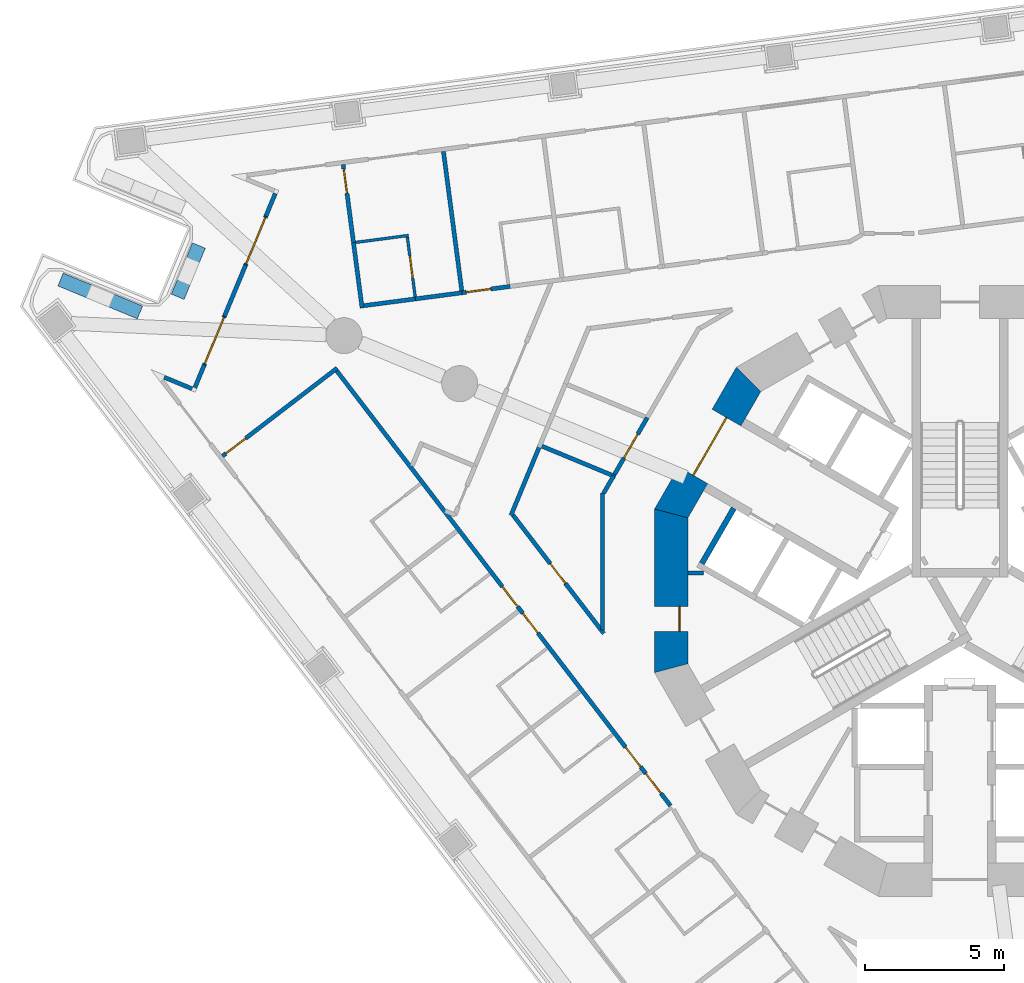
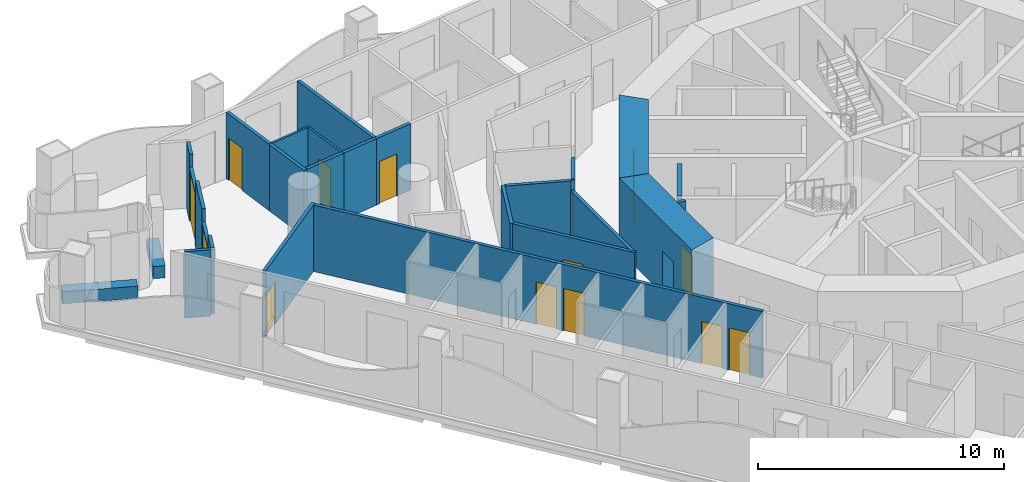
# One storey, part 6 of 19: 28 walls, 14 doors, 14 openings.
"""IFC4 building model written with IfcOpenShell, lengths in metres."""

from ifc_helpers import new_model, si_unit, direction, frame, frame_2d, origin, place, context, subcontext, project, spatial, polyline, rectangle, outline, extrude, material, layer, layer_set, type_object, element, fill, save


model = new_model("IFC4")

# Units and contexts
model_context = context("Model", 3, precision=1e-05, world=origin(), true_north=direction((0.0, 1.0)))
body_context = subcontext(model_context, "Body", "Model", "MODEL_VIEW")
ifc_project = project(units=[si_unit("LENGTHUNIT", "METRE"), si_unit("AREAUNIT", "SQUARE_METRE"), si_unit("VOLUMEUNIT", "CUBIC_METRE"), si_unit("PLANEANGLEUNIT", "RADIAN"), si_unit("MASSUNIT", "GRAM", prefix="KILO")], contexts=[model_context])

# Site, building, storey
site_placement = place(None, origin())
site = spatial("IfcSite", under=ifc_project, at=site_placement, CompositionType="ELEMENT")
building_placement = place(site_placement, origin())
building = spatial("IfcBuilding", under=site, at=building_placement, Name="Trine Commons Tower", CompositionType="ELEMENT")
storey_placement = place(building_placement, frame((0.0, 0.0, 54.0)))
storey = spatial("IfcBuildingStorey", under=building, at=storey_placement, Name="L12", CompositionType="ELEMENT", Elevation=54.0)

# Walls
ifc_material_1 = material(Name="Plasterboard partition on steel studs", Category="steel")
ifc_layer_1 = layer(ifc_material_1, 0.14990234375)
ifc_layer_set_1 = layer_set([ifc_layer_1], Name="Plasterboard partition on steel studs")
wall_type_1 = type_object("IfcWallType", Name="Core room partition 150 mm, EI 60", PredefinedType="PARTITIONING", material=ifc_layer_set_1)
wall_1_placement = place(storey_placement, frame((70.18798828125, 63.14208984375, 0.0), z_axis=(0.0, 0.0, 1.0), x_axis=(1.0, 0.0, 0.0)))
element("IfcWall", 1, at=wall_1_placement, inside=storey, type_object=wall_type_1, Name="Core room partition L12", PredefinedType="PARTITIONING", context=body_context, shape_type="SweptSolid", body=[
    extrude(rectangle(XDim=0.571044921875, YDim=0.14990234375, at=frame_2d((0.28564453125, 0.0))), origin(), (0.0, 0.0, 1.0), 3.300048828125),
])
ifc_material_2 = material(Name="Aluminium-framed insulated wall panel", Category="aluminium")
ifc_layer_2 = layer(ifc_material_2, 0.14990234375)
ifc_layer_set_2 = layer_set([ifc_layer_2], Name="Aluminium-framed insulated wall panel")
wall_type_2 = type_object("IfcWallType", Name="Glazed frame wall 150, EI 60", PredefinedType="SOLIDWALL", material=ifc_layer_set_2)
wall_2_placement = place(storey_placement, frame((51.175537109375, 70.256103515625, 0.0), z_axis=(0.0, 0.0, 1.0), x_axis=(0.923901801611, -0.382629665579, 0.0)))
element("IfcWall", 2, at=wall_2_placement, inside=storey, type_object=wall_type_2, Name="Glazed frame wall R1", PredefinedType="SOLIDWALL", context=body_context, shape_type="SweptSolid", body=[
    extrude(outline(polyline([(0.1494140625, 0.074951171875), (0.1494140625, -0.074951171875), (1.235107421875, -0.074951171875), (1.235107421875, 0.074951171875), (0.1494140625, 0.074951171875)])), origin(), (0.0, 0.0, 1.0), 3.300048828125),
])
wall_3_placement = place(storey_placement, frame((52.372314453125, 69.722412109375, 0.0), z_axis=(0.0, 0.0, 1.0), x_axis=(0.382603377961, 0.923912688068, 0.0)))
element("IfcWall", 3, at=wall_3_placement, inside=storey, type_object=wall_type_2, Name="Glazed frame wall P1.1", PredefinedType="SOLIDWALL", context=body_context, shape_type="SweptSolid", body=[
    extrude(outline(polyline([(0.110107421875, -0.074951171875), (1.0, -0.074951171875), (1.0, 0.074951171875), (0.110107421875, 0.074951171875), (0.110107421875, -0.074951171875)])), origin(), (0.0, 0.0, 1.0), 3.300048828125),
])

# Wall, opening, door
wall_4_placement = place(storey_placement, frame((52.7548828125, 70.646240234375, 0.0), z_axis=(0.0, 0.0, 1.0), x_axis=(0.382771661121, 0.923842982028, 0.0)))
wall_4 = element("IfcWall", 4, at=wall_4_placement, inside=storey, type_object=wall_type_2, Name="Glazed frame wall P1.2", PredefinedType="SOLIDWALL", context=body_context, shape_type="SweptSolid", body=[
    extrude(outline(polyline([(0.0, -0.074951171875), (1.89990234375, -0.074951171875), (1.89990234375, 0.074951171875), (0.0, 0.074951171875), (0.0, -0.074951171875)])), origin(), (0.0, 0.0, 1.0), 2.64990234375),
])
opening_1_placement = place(wall_4_placement, frame((0.050048828125, 0.0, 0.0)))
opening_1 = element("IfcOpeningElement", 5, at=opening_1_placement, cuts=wall_4, Name="Opening BD-2P1-01", PredefinedType="OPENING", context=body_context, shape_type="SweptSolid", body=[
    extrude(rectangle(XDim=1.800048828125, YDim=2.60009765625, at=frame_2d((0.89990234375, 1.300048828125))), frame((0.0, 0.0849609375, 0.0), z_axis=(0.0, -1.0, 0.0), x_axis=(1.0, 0.0, 0.0)), (0.0, 0.0, 1.0), 0.169921875),
])
ifc_material_3 = material(Name="Anodised aluminium frame with double glazing", Category="aluminium")
door_type_1 = type_object("IfcDoorType", Name="Sliding loggia door 1800x2600", OperationType="SLIDING_TO_LEFT", PredefinedType="DOOR", material=ifc_material_3)
door_1_placement = place(opening_1_placement, origin())
door_1 = element("IfcDoor", 6, at=door_1_placement, inside=storey, type_object=door_type_1, Name="Loggia door P1 1", OperationType="SLIDING_TO_LEFT", OverallHeight=2.60009765625, OverallWidth=1.800048828125, PredefinedType="DOOR", context=body_context, shape_type="SweptSolid", body=[
    extrude(rectangle(XDim=1.800048828125, YDim=2.60009765625, at=frame_2d((0.89990234375, 1.300048828125))), frame((0.0, 0.02490234375, 0.0), z_axis=(0.0, -1.0, 0.0), x_axis=(1.0, 0.0, 0.0)), (0.0, 0.0, 1.0), 0.050048828125),
])
fill(opening_1, door_1)

# Wall
wall_5_placement = place(storey_placement, frame((53.482177734375, 72.401611328125, 0.0), z_axis=(0.0, 0.0, 1.0), x_axis=(0.382664423091, 0.923887406181, 0.0)))
element("IfcWall", 7, at=wall_5_placement, inside=storey, type_object=wall_type_2, Name="Glazed frame wall P1.3", PredefinedType="SOLIDWALL", context=body_context, shape_type="SweptSolid", body=[
    extrude(outline(polyline([(0.0, -0.074951171875), (2.0, -0.074951171875), (2.0, 0.074951171875), (0.0, 0.074951171875), (0.0, -0.074951171875)])), origin(), (0.0, 0.0, 1.0), 3.300048828125),
])

# Wall, opening, door
wall_6_placement = place(storey_placement, frame((54.24755859375, 74.24951171875, 0.0), z_axis=(0.0, 0.0, 1.0), x_axis=(0.382661988648, 0.923888414498, 0.0)))
wall_6 = element("IfcWall", 8, at=wall_6_placement, inside=storey, type_object=wall_type_2, Name="Glazed frame wall P1.4", PredefinedType="SOLIDWALL", context=body_context, shape_type="SweptSolid", body=[
    extrude(outline(polyline([(0.0, -0.074951171875), (1.89990234375, -0.074951171875), (1.89990234375, 0.074951171875), (0.0, 0.074951171875), (0.0, -0.074951171875)])), origin(), (0.0, 0.0, 1.0), 2.64990234375),
])
opening_2_placement = place(wall_6_placement, frame((0.050048828125, 0.0, 0.0)))
opening_2 = element("IfcOpeningElement", 9, at=opening_2_placement, cuts=wall_6, Name="Opening BD-2P1-02", PredefinedType="OPENING", context=body_context, shape_type="SweptSolid", body=[
    extrude(rectangle(XDim=1.800048828125, YDim=2.60009765625, at=frame_2d((0.89990234375, 1.300048828125))), frame((0.0, 0.0849609375, 0.0), z_axis=(0.0, -1.0, 0.0), x_axis=(1.0, 0.0, 0.0)), (0.0, 0.0, 1.0), 0.169921875),
])
door_2_placement = place(opening_2_placement, origin())
door_2 = element("IfcDoor", 10, at=door_2_placement, inside=storey, type_object=door_type_1, Name="Loggia door P1 2", OperationType="SLIDING_TO_LEFT", OverallHeight=2.60009765625, OverallWidth=1.800048828125, PredefinedType="DOOR", context=body_context, shape_type="SweptSolid", body=[
    extrude(rectangle(XDim=1.800048828125, YDim=2.60009765625, at=frame_2d((0.89990234375, 1.300048828125))), frame((0.0, 0.02490234375, 0.0), z_axis=(0.0, -1.0, 0.0), x_axis=(1.0, 0.0, 0.0)), (0.0, 0.0, 1.0), 0.050048828125),
])
fill(opening_2, door_2)

# Walls
wall_7_placement = place(storey_placement, frame((54.974609375, 76.0048828125, 0.0), z_axis=(0.0, 0.0, 1.0), x_axis=(0.382811769845, 0.923826362943, 0.0)))
element("IfcWall", 11, at=wall_7_placement, inside=storey, type_object=wall_type_2, Name="Glazed frame wall P1.5", PredefinedType="SOLIDWALL", context=body_context, shape_type="SweptSolid", body=[
    extrude(outline(polyline([(0.889892578125, 0.074951171875), (0.0, 0.074951171875), (0.0, -0.074951171875), (0.889892578125, -0.074951171875), (0.889892578125, 0.074951171875)])), origin(), (0.0, 0.0, 1.0), 3.300048828125),
])
ifc_material_4 = material(Name="Planter trough, precast concrete C40/50", Category="concrete")
ifc_layer_3 = layer(ifc_material_4, 0.5)
ifc_layer_set_3 = layer_set([ifc_layer_3], Name="Planter trough, precast concrete C40/50")
wall_type_3 = type_object("IfcWallType", Name="Planter trough 500x600", PredefinedType="PARAPET", material=ifc_layer_set_3)
wall_8_placement = place(storey_placement, frame((47.5732421875, 73.723388671875, 0.0), z_axis=(0.0, 0.0, 1.0), x_axis=(0.923883411188, -0.382674068277, 0.0)))
element("IfcWall", 12, at=wall_8_placement, inside=storey, type_object=wall_type_3, Name="Planter 1", PredefinedType="PARAPET", context=body_context, shape_type="SweptSolid", body=[
    extrude(rectangle(XDim=3.099853515625, YDim=0.5, at=frame_2d((1.5498046875, 0.0))), origin(), (0.0, 0.0, 1.0), 0.60009765625),
])
wall_9_placement = place(storey_placement, frame((51.796142578125, 73.10009765625, 0.0), z_axis=(0.0, 0.0, 1.0), x_axis=(0.382603377961, 0.923912688068, 0.0)))
element("IfcWall", 13, at=wall_9_placement, inside=storey, type_object=wall_type_3, Name="Planter 2", PredefinedType="PARAPET", context=body_context, shape_type="SweptSolid", body=[
    extrude(rectangle(XDim=1.999755859375, YDim=0.5, at=frame_2d((1.0, 0.0))), origin(), (0.0, 0.0, 1.0), 0.60009765625),
])

# Wall, opening, door
ifc_material_5 = material(Name="Concrete C80/95", Category="concrete")
ifc_layer_4 = layer(ifc_material_5, 1.199951171875)
ifc_layer_set_4 = layer_set([ifc_layer_4], Name="Concrete C80/95")
wall_type_4 = type_object("IfcWallType", Name="RC shear wall 1200 mm, C80/95", PredefinedType="SHEAR", material=ifc_layer_set_4)
wall_10_placement = place(storey_placement, frame((72.45849609375, 70.260986328125, 0.0), z_axis=(0.0, 0.0, 1.0), x_axis=(-0.499979111662, -0.866037463336, 0.0)))
wall_10 = element("IfcWall", 14, at=wall_10_placement, inside=storey, type_object=wall_type_4, Name="Core wall CWB-06 L12", PredefinedType="SHEAR", context=body_context, shape_type="SweptSolid", body=[
    extrude(outline(polyline([(0.0, -0.60009765625), (5.901123046875, -0.60009765625), (5.57958984375, 0.60009765625), (0.321533203125, 0.60009765625), (0.0, -0.60009765625)])), origin(), (0.0, 0.0, 1.0), 3.60009765625),
])
opening_3_placement = place(wall_10_placement, frame((1.75048828125, 0.0, 0.0)))
opening_3 = element("IfcOpeningElement", 15, at=opening_3_placement, cuts=wall_10, Name="Opening K07.06", PredefinedType="OPENING", context=body_context, shape_type="SweptSolid", body=[
    extrude(rectangle(XDim=2.39990234375, YDim=2.10009765625, at=frame_2d((1.199951171875, 1.050048828125))), frame((0.0, 0.60986328125, 0.0), z_axis=(0.0, -1.0, 0.0), x_axis=(1.0, 0.0, 0.0)), (0.0, 0.0, 1.0), 1.219970703125),
])
ifc_material_6 = material(Name="Steel door leaves, fire-rated", Category="steel")
door_type_2 = type_object("IfcDoorType", Name="Lobby door, double leaf 2400 x 2100, FD60", OperationType="DOUBLE_DOOR_SINGLE_SWING", PredefinedType="DOOR", material=ifc_material_6)
door_3_placement = place(opening_3_placement, origin())
door_3 = element("IfcDoor", 16, at=door_3_placement, inside=storey, type_object=door_type_2, Name="Lobby door, Passenger lift lobby B L12", OperationType="DOUBLE_DOOR_SINGLE_SWING", OverallHeight=2.10009765625, OverallWidth=2.39990234375, PredefinedType="DOOR", context=body_context, shape_type="SweptSolid", body=[
    extrude(rectangle(XDim=2.39990234375, YDim=2.10009765625, at=frame_2d((1.199951171875, 1.050048828125))), frame((0.0, 0.02490234375, 0.0), z_axis=(0.0, -1.0, 0.0), x_axis=(1.0, 0.0, 0.0)), (0.0, 0.0, 1.0), 0.050048828125),
])
fill(opening_3, door_3)

wall_11_placement = place(storey_placement, frame((69.58837890625, 65.450439453125, 0.0), z_axis=(0.0, 0.0, 1.0), x_axis=(0.0, -1.0, 0.0)))
wall_11 = element("IfcWall", 17, at=wall_11_placement, inside=storey, type_object=wall_type_4, Name="Core wall CWB-07 L12", PredefinedType="SHEAR", context=body_context, shape_type="SweptSolid", body=[
    extrude(outline(polyline([(0.0, -0.60009765625), (5.90087890625, -0.60009765625), (5.57958984375, 0.60009765625), (0.321533203125, 0.60009765625), (0.0, -0.60009765625)])), origin(), (0.0, 0.0, 1.0), 3.60009765625),
])
opening_4_placement = place(wall_11_placement, frame((3.508544921875, 0.0, 0.0)))
opening_4 = element("IfcOpeningElement", 18, at=opening_4_placement, cuts=wall_11, Name="Opening K07.14", PredefinedType="OPENING", context=body_context, shape_type="SweptSolid", body=[
    extrude(rectangle(XDim=0.89990234375, YDim=2.10009765625, at=frame_2d((0.449951171875, 1.050048828125))), frame((0.0, 0.60986328125, 0.0), z_axis=(0.0, -1.0, 0.0), x_axis=(1.0, 0.0, 0.0)), (0.0, 0.0, 1.0), 1.219970703125),
])
ifc_material_7 = material(Name="Steel door leaf, fire-rated", Category="steel")
door_type_3 = type_object("IfcDoorType", Name="Core room door, single leaf 900 x 2100, FD30S", OperationType="SINGLE_SWING_LEFT", PredefinedType="DOOR", material=ifc_material_7)
door_4_placement = place(opening_4_placement, origin())
door_4 = element("IfcDoor", 19, at=door_4_placement, inside=storey, type_object=door_type_3, Name="Door to Print room L12", OperationType="SINGLE_SWING_RIGHT", OverallHeight=2.10009765625, OverallWidth=0.89990234375, PredefinedType="DOOR", context=body_context, shape_type="SweptSolid", body=[
    extrude(rectangle(XDim=0.89990234375, YDim=2.10009765625, at=frame_2d((0.449951171875, 1.050048828125))), frame((0.0, 0.3251953125, 0.0), z_axis=(0.0, -1.0, 0.0), x_axis=(1.0, 0.0, 0.0)), (0.0, 0.0, 1.0), 0.050048828125),
])
fill(opening_4, door_4)

# Wall
ifc_material_8 = material(Name="Fire-rated gypsum shaft wall system")
ifc_layer_5 = layer(ifc_material_8, 0.199951171875)
ifc_layer_set_5 = layer_set([ifc_layer_5], Name="Fire-rated gypsum shaft wall system")
wall_type_5 = type_object("IfcWallType", Name="Shaft wall 200 mm, EI 120", PredefinedType="PARTITIONING", material=ifc_layer_set_5)
wall_12_placement = place(storey_placement, frame((71.844970703125, 65.47607421875, 0.0), z_axis=(0.0, 0.0, 1.0), x_axis=(-0.500136062276, -0.86594683394, 0.0)))
element("IfcWall", 20, at=wall_12_placement, inside=storey, type_object=wall_type_5, Name="Shaft wall L12", PredefinedType="PARTITIONING", context=body_context, shape_type="SweptSolid", body=[
    extrude(rectangle(XDim=2.299072265625, YDim=0.199951171875, at=frame_2d((1.1494140625, 0.0))), origin(), (0.0, 0.0, 1.0), 3.300048828125),
])

# Wall, opening, door
ifc_material_9 = material(Name="Gypsum plasterboard on steel stud", Category="steel")
ifc_layer_6 = layer(ifc_material_9, 0.14990234375)
ifc_layer_set_6 = layer_set([ifc_layer_6], Name="Gypsum plasterboard on steel stud")
wall_type_6 = type_object("IfcWallType", Name="Unit and corridor wall 150 mm, EI 60", PredefinedType="PARTITIONING", material=ifc_layer_set_6)
wall_13_placement = place(storey_placement, frame((53.41162109375, 67.3583984375, 0.0), z_axis=(0.0, 0.0, 1.0), x_axis=(0.793382437727, 0.608723506616, 0.0)))
wall_13 = element("IfcWall", 21, at=wall_13_placement, inside=storey, type_object=wall_type_6, Name="Partition 001", PredefinedType="PARTITIONING", context=body_context, shape_type="SweptSolid", body=[
    extrude(rectangle(XDim=5.213134765625, YDim=0.14990234375, at=frame_2d((2.6064453125, 0.0))), origin(), (0.0, 0.0, 1.0), 3.300048828125),
])
opening_5_placement = place(wall_13_placement, frame((0.14990234375, 0.0, 0.0)))
opening_5 = element("IfcOpeningElement", 22, at=opening_5_placement, cuts=wall_13, Name="Opening D-2A35", PredefinedType="OPENING", context=body_context, shape_type="SweptSolid", body=[
    extrude(rectangle(XDim=0.89990234375, YDim=2.10009765625, at=frame_2d((0.449951171875, 1.050048828125))), frame((0.0, 0.0849609375, 0.0), z_axis=(0.0, -1.0, 0.0), x_axis=(1.0, 0.0, 0.0)), (0.0, 0.0, 1.0), 0.169921875),
])
ifc_material_10 = material(Name="Timber fire door set", Category="wood")
door_type_4 = type_object("IfcDoorType", Name="Bedroom door 900 x 2100, FD30S", OperationType="NOTDEFINED", PredefinedType="DOOR", material=ifc_material_10)
door_5_placement = place(opening_5_placement, frame((0.89990234375, 0.0, 0.0), z_axis=(0.0, 0.0, 1.0), x_axis=(-1.0, 0.0, 0.0)))
door_5 = element("IfcDoor", 23, at=door_5_placement, inside=storey, type_object=door_type_4, Name="Door D-2A35", OperationType="SINGLE_SWING_RIGHT", OverallHeight=2.10009765625, OverallWidth=0.89990234375, PredefinedType="DOOR", context=body_context, shape_type="SweptSolid", body=[
    extrude(rectangle(XDim=0.89990234375, YDim=2.10009765625, at=frame_2d((0.449951171875, 1.050048828125))), frame((0.0, 0.02490234375, 0.0), z_axis=(0.0, -1.0, 0.0), x_axis=(1.0, 0.0, 0.0)), (0.0, 0.0, 1.0), 0.050048828125),
])
fill(opening_5, door_5)

# Wall, openings, doors
wall_14_placement = place(storey_placement, frame((57.53369140625, 70.426513671875, 0.0), z_axis=(0.0, 0.0, 1.0), x_axis=(0.608794371867, -0.793328061261, 0.0)))
wall_14 = element("IfcWall", 24, at=wall_14_placement, inside=storey, type_object=wall_type_6, Name="Partition 002", PredefinedType="PARTITIONING", context=body_context, shape_type="SweptSolid", body=[
    extrude(rectangle(XDim=19.75927734375, YDim=0.14990234375, at=frame_2d((9.879638671875, 0.0))), origin(), (0.0, 0.0, 1.0), 3.300048828125),
])
opening_6_placement = place(wall_14_placement, frame((18.293212890625, 0.0, 0.0)))
opening_6 = element("IfcOpeningElement", 25, at=opening_6_placement, cuts=wall_14, Name="Opening D-2A31", PredefinedType="OPENING", context=body_context, shape_type="SweptSolid", body=[
    extrude(rectangle(XDim=0.89990234375, YDim=2.10009765625, at=frame_2d((0.449951171875, 1.050048828125))), frame((0.0, 0.0849609375, 0.0), z_axis=(0.0, -1.0, 0.0), x_axis=(1.0, 0.0, 0.0)), (0.0, 0.0, 1.0), 0.169921875),
])
opening_7_placement = place(wall_14_placement, frame((17.093017578125, 0.0, 0.0)))
opening_7 = element("IfcOpeningElement", 26, at=opening_7_placement, cuts=wall_14, Name="Opening D-2A32", PredefinedType="OPENING", context=body_context, shape_type="SweptSolid", body=[
    extrude(rectangle(XDim=0.89990234375, YDim=2.10009765625, at=frame_2d((0.449951171875, 1.050048828125))), frame((0.0, 0.0849609375, 0.0), z_axis=(0.0, -1.0, 0.0), x_axis=(1.0, 0.0, 0.0)), (0.0, 0.0, 1.0), 0.169921875),
])
opening_8_placement = place(wall_14_placement, frame((11.00634765625, 0.0, 0.0)))
opening_8 = element("IfcOpeningElement", 27, at=opening_8_placement, cuts=wall_14, Name="Opening D-2A33", PredefinedType="OPENING", context=body_context, shape_type="SweptSolid", body=[
    extrude(rectangle(XDim=0.89990234375, YDim=2.10009765625, at=frame_2d((0.449951171875, 1.050048828125))), frame((0.0, 0.0849609375, 0.0), z_axis=(0.0, -1.0, 0.0), x_axis=(1.0, 0.0, 0.0)), (0.0, 0.0, 1.0), 0.169921875),
])
opening_9_placement = place(wall_14_placement, frame((9.806396484375, 0.0, 0.0)))
opening_9 = element("IfcOpeningElement", 28, at=opening_9_placement, cuts=wall_14, Name="Opening D-2A34", PredefinedType="OPENING", context=body_context, shape_type="SweptSolid", body=[
    extrude(rectangle(XDim=0.89990234375, YDim=2.10009765625, at=frame_2d((0.449951171875, 1.050048828125))), frame((0.0, 0.0849609375, 0.0), z_axis=(0.0, -1.0, 0.0), x_axis=(1.0, 0.0, 0.0)), (0.0, 0.0, 1.0), 0.169921875),
])
door_6_placement = place(opening_6_placement, frame((0.89990234375, 0.0, 0.0), z_axis=(0.0, 0.0, 1.0), x_axis=(-1.0, 0.0, 0.0)))
door_6 = element("IfcDoor", 29, at=door_6_placement, inside=storey, type_object=door_type_4, Name="Door D-2A31", OperationType="SINGLE_SWING_LEFT", OverallHeight=2.10009765625, OverallWidth=0.89990234375, PredefinedType="DOOR", context=body_context, shape_type="SweptSolid", body=[
    extrude(rectangle(XDim=0.89990234375, YDim=2.10009765625, at=frame_2d((0.449951171875, 1.050048828125))), frame((0.0, 0.02490234375, 0.0), z_axis=(0.0, -1.0, 0.0), x_axis=(1.0, 0.0, 0.0)), (0.0, 0.0, 1.0), 0.050048828125),
])
fill(opening_6, door_6)
door_7_placement = place(opening_7_placement, frame((0.89990234375, 0.0, 0.0), z_axis=(0.0, 0.0, 1.0), x_axis=(-1.0, 0.0, 0.0)))
door_7 = element("IfcDoor", 30, at=door_7_placement, inside=storey, type_object=door_type_4, Name="Door D-2A32", OperationType="SINGLE_SWING_LEFT", OverallHeight=2.10009765625, OverallWidth=0.89990234375, PredefinedType="DOOR", context=body_context, shape_type="SweptSolid", body=[
    extrude(rectangle(XDim=0.89990234375, YDim=2.10009765625, at=frame_2d((0.449951171875, 1.050048828125))), frame((0.0, 0.02490234375, 0.0), z_axis=(0.0, -1.0, 0.0), x_axis=(1.0, 0.0, 0.0)), (0.0, 0.0, 1.0), 0.050048828125),
])
fill(opening_7, door_7)
door_8_placement = place(opening_8_placement, frame((0.89990234375, 0.0, 0.0), z_axis=(0.0, 0.0, 1.0), x_axis=(-1.0, 0.0, 0.0)))
door_8 = element("IfcDoor", 31, at=door_8_placement, inside=storey, type_object=door_type_4, Name="Door D-2A33", OperationType="SINGLE_SWING_LEFT", OverallHeight=2.10009765625, OverallWidth=0.89990234375, PredefinedType="DOOR", context=body_context, shape_type="SweptSolid", body=[
    extrude(rectangle(XDim=0.89990234375, YDim=2.10009765625, at=frame_2d((0.449951171875, 1.050048828125))), frame((0.0, 0.02490234375, 0.0), z_axis=(0.0, -1.0, 0.0), x_axis=(1.0, 0.0, 0.0)), (0.0, 0.0, 1.0), 0.050048828125),
])
fill(opening_8, door_8)
door_9_placement = place(opening_9_placement, frame((0.89990234375, 0.0, 0.0), z_axis=(0.0, 0.0, 1.0), x_axis=(-1.0, 0.0, 0.0)))
door_9 = element("IfcDoor", 32, at=door_9_placement, inside=storey, type_object=door_type_4, Name="Door D-2A34", OperationType="SINGLE_SWING_LEFT", OverallHeight=2.10009765625, OverallWidth=0.89990234375, PredefinedType="DOOR", context=body_context, shape_type="SweptSolid", body=[
    extrude(rectangle(XDim=0.89990234375, YDim=2.10009765625, at=frame_2d((0.449951171875, 1.050048828125))), frame((0.0, 0.02490234375, 0.0), z_axis=(0.0, -1.0, 0.0), x_axis=(1.0, 0.0, 0.0)), (0.0, 0.0, 1.0), 0.050048828125),
])
fill(opening_9, door_9)

# Wall, opening, door
wall_15_placement = place(storey_placement, frame((57.76416015625, 77.8662109375, 0.0), z_axis=(0.0, 0.0, 1.0), x_axis=(0.130439234834, -0.991456305651, 0.0)))
wall_15 = element("IfcWall", 33, at=wall_15_placement, inside=storey, type_object=wall_type_6, Name="Partition 003", PredefinedType="PARTITIONING", context=body_context, shape_type="SweptSolid", body=[
    extrude(rectangle(XDim=2.8935546875, YDim=0.14990234375, at=frame_2d((1.44677734375, 0.0))), origin(), (0.0, 0.0, 1.0), 3.300048828125),
])
opening_10_placement = place(wall_15_placement, frame((0.14990234375, 0.0, 0.0)))
opening_10 = element("IfcOpeningElement", 34, at=opening_10_placement, cuts=wall_15, Name="Opening D-2A07", PredefinedType="OPENING", context=body_context, shape_type="SweptSolid", body=[
    extrude(rectangle(XDim=0.89990234375, YDim=2.10009765625, at=frame_2d((0.449951171875, 1.050048828125))), frame((0.0, 0.0849609375, 0.0), z_axis=(0.0, -1.0, 0.0), x_axis=(1.0, 0.0, 0.0)), (0.0, 0.0, 1.0), 0.169921875),
])
door_10_placement = place(opening_10_placement, origin())
door_10 = element("IfcDoor", 35, at=door_10_placement, inside=storey, type_object=door_type_4, Name="Door D-2A07", OperationType="SINGLE_SWING_LEFT", OverallHeight=2.10009765625, OverallWidth=0.89990234375, PredefinedType="DOOR", context=body_context, shape_type="SweptSolid", body=[
    extrude(rectangle(XDim=0.89990234375, YDim=2.10009765625, at=frame_2d((0.449951171875, 1.050048828125))), frame((0.0, 0.02490234375, 0.0), z_axis=(0.0, -1.0, 0.0), x_axis=(1.0, 0.0, 0.0)), (0.0, 0.0, 1.0), 0.050048828125),
])
fill(opening_10, door_10)

# Walls
wall_16_placement = place(storey_placement, frame((58.134033203125, 75.054931640625, 0.0), z_axis=(0.0, 0.0, 1.0), x_axis=(0.130650971648, -0.991428425862, 0.0)))
element("IfcWall", 36, at=wall_16_placement, inside=storey, type_object=wall_type_6, Name="Partition 005", PredefinedType="PARTITIONING", context=body_context, shape_type="SweptSolid", body=[
    extrude(rectangle(XDim=2.37890625, YDim=0.14990234375, at=frame_2d((1.189453125, 0.0))), origin(), (0.0, 0.0, 1.0), 3.300048828125),
])
wall_17_placement = place(storey_placement, frame((58.509521484375, 72.78076171875, 0.0), z_axis=(0.0, 0.0, 1.0), x_axis=(0.991460041982, 0.130410832196, 0.0)))
element("IfcWall", 37, at=wall_17_placement, inside=storey, type_object=wall_type_6, Name="Partition 007", PredefinedType="PARTITIONING", context=body_context, shape_type="SweptSolid", body=[
    extrude(rectangle(XDim=1.879638671875, YDim=0.14990234375, at=frame_2d((0.93994140625, 0.0))), origin(), (0.0, 0.0, 1.0), 3.300048828125),
])
wall_18_placement = place(storey_placement, frame((60.364990234375, 73.02490234375, 0.0), z_axis=(0.0, 0.0, 1.0), x_axis=(0.991474842511, 0.130298260417, 0.0)))
element("IfcWall", 38, at=wall_18_placement, inside=storey, type_object=wall_type_6, Name="Partition 014", PredefinedType="PARTITIONING", context=body_context, shape_type="SweptSolid", body=[
    extrude(rectangle(XDim=1.697509765625, YDim=0.14990234375, at=frame_2d((0.8486328125, 0.0))), origin(), (0.0, 0.0, 1.0), 3.300048828125),
])
wall_19_placement = place(storey_placement, frame((61.377197265625, 78.34130859375, 0.0), z_axis=(0.0, 0.0, 1.0), x_axis=(0.130499406053, -0.991448387471, 0.0)))
element("IfcWall", 39, at=wall_19_placement, inside=storey, type_object=wall_type_6, Name="Partition 017", PredefinedType="PARTITIONING", context=body_context, shape_type="SweptSolid", body=[
    extrude(rectangle(XDim=5.064208984375, YDim=0.14990234375, at=frame_2d((2.5322265625, 0.0))), origin(), (0.0, 0.0, 1.0), 3.300048828125),
])

# Wall, opening, door
wall_20_placement = place(storey_placement, frame((62.048095703125, 73.24609375, 0.0), z_axis=(0.0, 0.0, 1.0), x_axis=(0.991412396829, 0.130772548398, 0.0)))
wall_20 = element("IfcWall", 40, at=wall_20_placement, inside=storey, type_object=wall_type_6, Name="Partition 020", PredefinedType="PARTITIONING", context=body_context, shape_type="SweptSolid", body=[
    extrude(rectangle(XDim=1.747314453125, YDim=0.14990234375, at=frame_2d((0.87353515625, 0.0))), origin(), (0.0, 0.0, 1.0), 3.300048828125),
])
opening_11_placement = place(wall_20_placement, frame((0.14990234375, 0.0, 0.0)))
opening_11 = element("IfcOpeningElement", 41, at=opening_11_placement, cuts=wall_20, Name="Opening D-2A08", PredefinedType="OPENING", context=body_context, shape_type="SweptSolid", body=[
    extrude(rectangle(XDim=0.89990234375, YDim=2.10009765625, at=frame_2d((0.449951171875, 1.050048828125))), frame((0.0, 0.0849609375, 0.0), z_axis=(0.0, -1.0, 0.0), x_axis=(1.0, 0.0, 0.0)), (0.0, 0.0, 1.0), 0.169921875),
])
door_11_placement = place(opening_11_placement, origin())
door_11 = element("IfcDoor", 42, at=door_11_placement, inside=storey, type_object=door_type_4, Name="Door D-2A08", OperationType="SINGLE_SWING_LEFT", OverallHeight=2.10009765625, OverallWidth=0.89990234375, PredefinedType="DOOR", context=body_context, shape_type="SweptSolid", body=[
    extrude(rectangle(XDim=0.89990234375, YDim=2.10009765625, at=frame_2d((0.449951171875, 1.050048828125))), frame((0.0, 0.02490234375, 0.0), z_axis=(0.0, -1.0, 0.0), x_axis=(1.0, 0.0, 0.0)), (0.0, 0.0, 1.0), 0.050048828125),
])
fill(opening_11, door_11)

# Wall
wall_21_placement = place(storey_placement, frame((63.811279296875, 65.2197265625, 0.0), z_axis=(0.0, 0.0, 1.0), x_axis=(0.382485754441, 0.923961388614, 0.0)))
element("IfcWall", 43, at=wall_21_placement, inside=storey, type_object=wall_type_6, Name="Partition 028", PredefinedType="PARTITIONING", context=body_context, shape_type="SweptSolid", body=[
    extrude(rectangle(XDim=2.736328125, YDim=0.14990234375, at=frame_2d((1.3681640625, 0.0))), origin(), (0.0, 0.0, 1.0), 3.300048828125),
])

# Wall, opening, door
wall_22_placement = place(storey_placement, frame((63.8857421875, 65.2294921875, 0.0), z_axis=(0.0, 0.0, 1.0), x_axis=(0.608696503356, -0.793403155276, 0.0)))
wall_22 = element("IfcWall", 44, at=wall_22_placement, inside=storey, type_object=wall_type_6, Name="Partition 029", PredefinedType="PARTITIONING", context=body_context, shape_type="SweptSolid", body=[
    extrude(rectangle(XDim=5.376953125, YDim=0.14990234375, at=frame_2d((2.6884765625, 0.0))), origin(), (0.0, 0.0, 1.0), 3.300048828125),
])
opening_12_placement = place(wall_22_placement, frame((2.200927734375, 0.0, 0.0)))
opening_12 = element("IfcOpeningElement", 45, at=opening_12_placement, cuts=wall_22, Name="Opening D-2A38", PredefinedType="OPENING", context=body_context, shape_type="SweptSolid", body=[
    extrude(rectangle(XDim=0.89990234375, YDim=2.10009765625, at=frame_2d((0.449951171875, 1.050048828125))), frame((0.0, 0.0849609375, 0.0), z_axis=(0.0, -1.0, 0.0), x_axis=(1.0, 0.0, 0.0)), (0.0, 0.0, 1.0), 0.169921875),
])
door_type_5 = type_object("IfcDoorType", Name="Service door 900 x 2100, FD30S", OperationType="NOTDEFINED", PredefinedType="DOOR", material=ifc_material_10)
door_12_placement = place(opening_12_placement, origin())
door_12 = element("IfcDoor", 46, at=door_12_placement, inside=storey, type_object=door_type_5, Name="Door D-2A38", OperationType="SINGLE_SWING_LEFT", OverallHeight=2.10009765625, OverallWidth=0.89990234375, PredefinedType="DOOR", context=body_context, shape_type="SweptSolid", body=[
    extrude(rectangle(XDim=0.89990234375, YDim=2.10009765625, at=frame_2d((0.449951171875, 1.050048828125))), frame((0.0, 0.02490234375, 0.0), z_axis=(0.0, -1.0, 0.0), x_axis=(1.0, 0.0, 0.0)), (0.0, 0.0, 1.0), 0.050048828125),
])
fill(opening_12, door_12)

# Walls
wall_23_placement = place(storey_placement, frame((64.92626953125, 67.71533203125, 0.0), z_axis=(0.0, 0.0, 1.0), x_axis=(0.923886418472, -0.382666807761, 0.0)))
element("IfcWall", 47, at=wall_23_placement, inside=storey, type_object=wall_type_6, Name="Partition 034", PredefinedType="PARTITIONING", context=body_context, shape_type="SweptSolid", body=[
    extrude(rectangle(XDim=2.874755859375, YDim=0.14990234375, at=frame_2d((1.4375, 0.0))), origin(), (0.0, 0.0, 1.0), 3.300048828125),
])
wall_24_placement = place(storey_placement, frame((67.113037109375, 61.093994140625, 0.0), z_axis=(0.0, 0.0, 1.0), x_axis=(0.0, 1.0, 0.0)))
element("IfcWall", 48, at=wall_24_placement, inside=storey, type_object=wall_type_6, Name="Partition 043", PredefinedType="PARTITIONING", context=body_context, shape_type="SweptSolid", body=[
    extrude(rectangle(XDim=4.93408203125, YDim=0.14990234375, at=frame_2d((2.467041015625, 0.0))), origin(), (0.0, 0.0, 1.0), 3.300048828125),
])
wall_25_placement = place(storey_placement, frame((67.150390625, 66.01806640625, 0.0), z_axis=(0.0, 0.0, 1.0), x_axis=(0.499858068882, 0.866107332248, 0.0)))
element("IfcWall", 49, at=wall_25_placement, inside=storey, type_object=wall_type_6, Name="Partition 044", PredefinedType="PARTITIONING", context=body_context, shape_type="SweptSolid", body=[
    extrude(rectangle(XDim=0.727294921875, YDim=0.14990234375, at=frame_2d((0.36376953125, 0.0))), origin(), (0.0, 0.0, 1.0), 3.300048828125),
])

# Wall, opening, door
wall_26_placement = place(storey_placement, frame((67.547607421875, 66.704833984375, 0.0), z_axis=(0.0, 0.0, 1.0), x_axis=(0.500075472253, 0.865981825474, 0.0)))
wall_26 = element("IfcWall", 50, at=wall_26_placement, inside=storey, type_object=wall_type_6, Name="Partition 045", PredefinedType="PARTITIONING", context=body_context, shape_type="SweptSolid", body=[
    extrude(rectangle(XDim=2.354736328125, YDim=0.14990234375, at=frame_2d((1.17724609375, 0.0))), origin(), (0.0, 0.0, 1.0), 2.75),
])
opening_13_placement = place(wall_26_placement, frame((0.675537109375, 0.0, 0.0)))
opening_13 = element("IfcOpeningElement", 51, at=opening_13_placement, cuts=wall_26, Name="Opening D-2A40", PredefinedType="OPENING", context=body_context, shape_type="SweptSolid", body=[
    extrude(rectangle(XDim=1.0, YDim=2.10009765625, at=frame_2d((0.5, 1.050048828125))), frame((0.0, 0.0849609375, 0.0), z_axis=(0.0, -1.0, 0.0), x_axis=(1.0, 0.0, 0.0)), (0.0, 0.0, 1.0), 0.169921875),
])
ifc_material_11 = material(Name="Painted timber", Category="wood")
door_type_6 = type_object("IfcDoorType", Name="Toilet door 1000 x 2100, NOT RATED", OperationType="NOTDEFINED", PredefinedType="DOOR", material=ifc_material_11)
door_13_placement = place(opening_13_placement, origin())
door_13 = element("IfcDoor", 52, at=door_13_placement, inside=storey, type_object=door_type_6, Name="Door D-2A40", OperationType="SINGLE_SWING_LEFT", OverallHeight=2.10009765625, OverallWidth=1.0, PredefinedType="DOOR", context=body_context, shape_type="SweptSolid", body=[
    extrude(rectangle(XDim=1.0, YDim=2.10009765625, at=frame_2d((0.5, 1.050048828125))), frame((0.0, 0.02490234375, 0.0), z_axis=(0.0, -1.0, 0.0), x_axis=(1.0, 0.0, 0.0)), (0.0, 0.0, 1.0), 0.050048828125),
])
fill(opening_13, door_13)

# Wall
ifc_layer_7 = layer(ifc_material_9, 0.10009765625)
ifc_layer_set_7 = layer_set([ifc_layer_7], Name="Gypsum plasterboard on steel stud")
wall_type_7 = type_object("IfcWallType", Name="Unit partition 100 mm, no rating", PredefinedType="PARTITIONING", material=ifc_layer_set_7)
wall_27_placement = place(storey_placement, frame((58.20947265625, 75.060791015625, 0.0), z_axis=(0.0, 0.0, 1.0), x_axis=(0.991420604101, 0.130710312382, 0.0)))
element("IfcWall", 53, at=wall_27_placement, inside=storey, type_object=wall_type_7, Name="Partition 006", PredefinedType="PARTITIONING", context=body_context, shape_type="SweptSolid", body=[
    extrude(rectangle(XDim=1.92578125, YDim=0.10009765625, at=frame_2d((0.962890625, 0.0))), origin(), (0.0, 0.0, 1.0), 3.300048828125),
])

# Wall, opening, door
wall_28_placement = place(storey_placement, frame((60.075439453125, 75.25634765625, 0.0), z_axis=(0.0, 0.0, 1.0), x_axis=(0.13039935739, -0.991461551242, 0.0)))
wall_28 = element("IfcWall", 54, at=wall_28_placement, inside=storey, type_object=wall_type_7, Name="Partition 011", PredefinedType="PARTITIONING", context=body_context, shape_type="SweptSolid", body=[
    extrude(rectangle(XDim=2.175537109375, YDim=0.10009765625, at=frame_2d((1.087890625, 0.0))), origin(), (0.0, 0.0, 1.0), 3.300048828125),
])
opening_14_placement = place(wall_28_placement, frame((0.687744140625, 0.0, 0.0)))
opening_14 = element("IfcOpeningElement", 55, at=opening_14_placement, cuts=wall_28, Name="Opening D-2A41", PredefinedType="OPENING", context=body_context, shape_type="SweptSolid", body=[
    extrude(rectangle(XDim=0.800048828125, YDim=2.10009765625, at=frame_2d((0.39990234375, 1.050048828125))), frame((0.0, 0.06005859375, 0.0), z_axis=(0.0, -1.0, 0.0), x_axis=(1.0, 0.0, 0.0)), (0.0, 0.0, 1.0), 0.1201171875),
])
door_type_7 = type_object("IfcDoorType", Name="Internal door 800 x 2100, NOT RATED", OperationType="NOTDEFINED", PredefinedType="DOOR", material=ifc_material_11)
door_14_placement = place(opening_14_placement, origin())
door_14 = element("IfcDoor", 56, at=door_14_placement, inside=storey, type_object=door_type_7, Name="Door D-2A41", OperationType="SINGLE_SWING_LEFT", OverallHeight=2.10009765625, OverallWidth=0.800048828125, PredefinedType="DOOR", context=body_context, shape_type="SweptSolid", body=[
    extrude(rectangle(XDim=0.800048828125, YDim=2.10009765625, at=frame_2d((0.39990234375, 1.050048828125))), frame((0.0, 0.02490234375, 0.0), z_axis=(0.0, -1.0, 0.0), x_axis=(1.0, 0.0, 0.0)), (0.0, 0.0, 1.0), 0.050048828125),
])
fill(opening_14, door_14)

save(model, "model.ifc")
